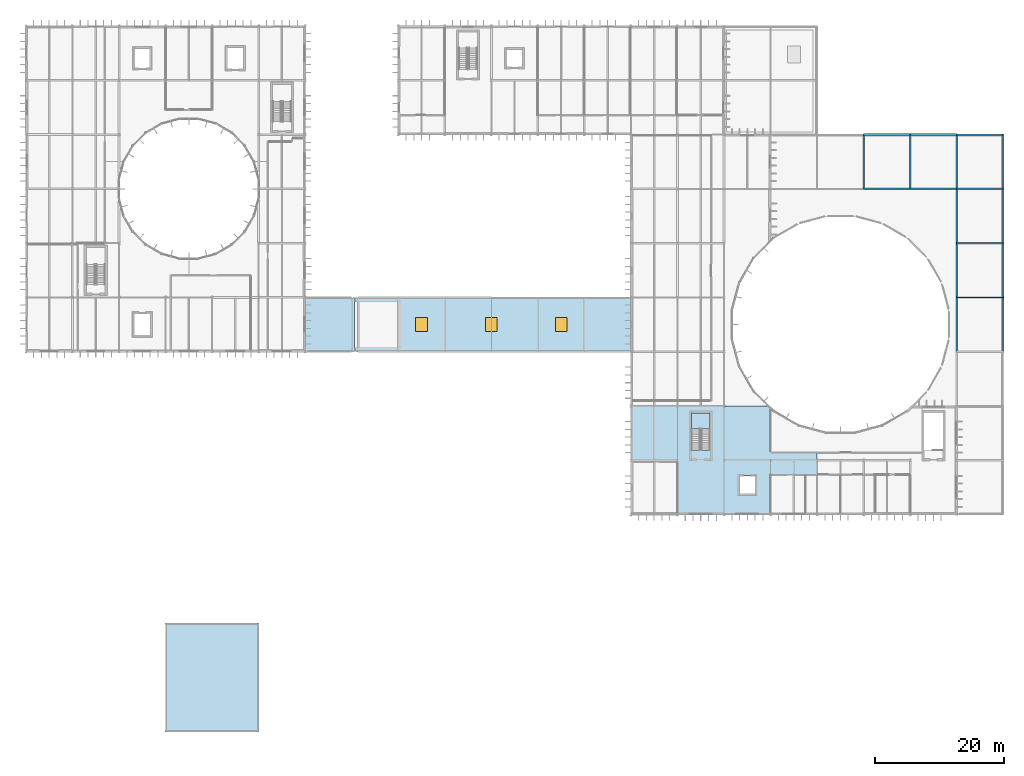
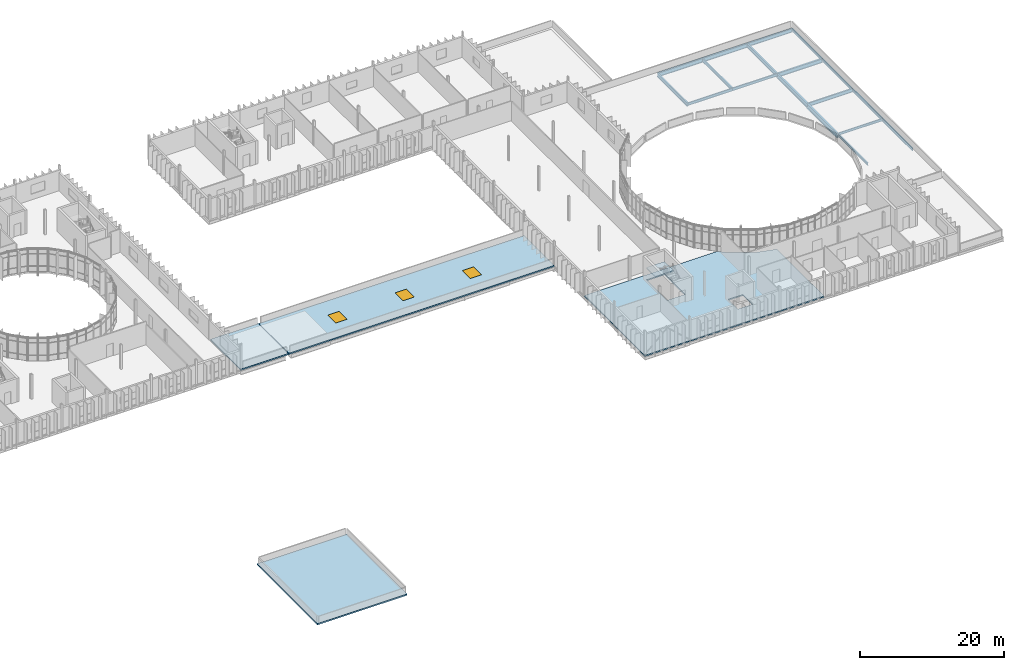
# One storey, part 30 of 61: 18 beams, 5 slabs, 3 windows, 3 openings, 1 element without a shape of its own.
"""IFC4 building model written with IfcOpenShell, lengths in metres."""

from ifc_helpers import new_model, si_unit, direction, frame, origin, origin_2d, place, context, subcontext, project, spatial, polyline, rectangle, i_section, outline, extrude, material, layer, layer_set, material_profile, profile_set, type_object, element, fill, aggregate, save


model = new_model("IFC4")

# Units and contexts
model_context = context("Model", 3, precision=1e-05, world=origin(), true_north=direction((0.0, 1.0)))
body_context = subcontext(model_context, "Body", "Model", "MODEL_VIEW")
ifc_project = project(units=[si_unit("LENGTHUNIT", "METRE"), si_unit("AREAUNIT", "SQUARE_METRE"), si_unit("VOLUMEUNIT", "CUBIC_METRE"), si_unit("PLANEANGLEUNIT", "RADIAN"), si_unit("MASSUNIT", "GRAM", prefix="KILO")], contexts=[model_context])

# Site, building, storey
site_placement = place(None, origin())
site = spatial("IfcSite", under=ifc_project, at=site_placement, CompositionType="ELEMENT")
building_placement = place(site_placement, origin())
building = spatial("IfcBuilding", under=site, at=building_placement, Name="Qelthora Terrace Specialist Clinic", CompositionType="ELEMENT")
storey_placement = place(building_placement, frame((0.0, 0.0, 13.199951171875)))
storey = spatial("IfcBuildingStorey", under=building, at=storey_placement, Name="L03", CompositionType="ELEMENT", Elevation=13.199951171875)

# Beams
ifc_material_1 = material(Name="Steel S355", Category="steel")
ifc_material_profile_1 = material_profile(ifc_material_1, i_section(OverallWidth=0.178955078125, OverallDepth=0.409912109375, WebThickness=0.0087890625, FlangeThickness=0.014404296875, FilletRadius=0.011962890625, at=origin_2d()), Name="W410X67")
ifc_profile_set_1 = profile_set([ifc_material_profile_1], Name="Steel S355")
beam_type_1 = type_object("IfcBeamType", Name="BM-W410X67", PredefinedType="BEAM", material=ifc_profile_set_1)
beam_1_placement = place(storey_placement, frame((144.0, 67.199951171875, -0.454833984375), z_axis=(1.0, 0.0, 0.0), x_axis=(0.0, 1.0, 0.0)))
element("IfcBeam", 1, at=beam_1_placement, inside=storey, type_object=beam_type_1, Name="Girder BMX-L03-0964", PredefinedType="BEAM", context=body_context, shape_type="SweptSolid", body=[
    extrude(i_section(OverallWidth=0.178955078125, OverallDepth=0.409912109375, WebThickness=0.0087890625, FlangeThickness=0.014404296875, FilletRadius=0.011962890625, at=origin_2d()), origin(), (0.0, 0.0, 1.0), 7.199951171875),
])
for number, where, z_axis, x_axis, name in (
    (2, (144.0, 58.800048828125, -0.454833984375), (0.0, 1.0, 0.0), (-1.0, 0.0, 0.0), "Girder BMY-L03-1120"),
    (3, (151.199951171875, 84.0, -0.454833984375), (0.0, 1.0, 0.0), (-1.0, 0.0, 0.0), "Girder BMY-L03-1130"),
):
    element("IfcBeam", number, at=place(storey_placement, frame(where, z_axis=z_axis, x_axis=x_axis)), inside=storey, type_object=beam_type_1, Name=name, PredefinedType="BEAM", context=body_context, shape_type="SweptSolid", body=[
        extrude(i_section(OverallWidth=0.178955078125, OverallDepth=0.409912109375, WebThickness=0.0087890625, FlangeThickness=0.014404296875, FilletRadius=0.011962890625, at=origin_2d()), origin(), (0.0, 0.0, 1.0), 8.39990234375),
    ])
ifc_material_profile_2 = material_profile(ifc_material_1, i_section(OverallWidth=0.179931640625, OverallDepth=0.4130859375, WebThickness=0.009765625, FlangeThickness=0.01611328125, FilletRadius=0.011962890625, at=origin_2d()), Name="W410X75")
ifc_profile_set_2 = profile_set([ifc_material_profile_2], Name="Steel S355")
beam_type_2 = type_object("IfcBeamType", Name="BM-W410X75", PredefinedType="BEAM", material=ifc_profile_set_2)
beam_2_placement = place(storey_placement, frame((151.199951171875, 75.60009765625, -0.45654296875), z_axis=(0.0, 1.0, 0.0), x_axis=(-1.0, 0.0, 0.0)))
element("IfcBeam", 4, at=beam_2_placement, inside=storey, type_object=beam_type_2, Name="Girder BMY-L03-1129", PredefinedType="BEAM", context=body_context, shape_type="SweptSolid", body=[
    extrude(i_section(OverallWidth=0.179931640625, OverallDepth=0.4130859375, WebThickness=0.009765625, FlangeThickness=0.01611328125, FilletRadius=0.011962890625, at=origin_2d()), origin(), (0.0, 0.0, 1.0), 8.39990234375),
])
ifc_material_profile_3 = material_profile(ifc_material_1, i_section(OverallWidth=0.19091796875, OverallDepth=0.4599609375, WebThickness=0.010009765625, FlangeThickness=0.01611328125, FilletRadius=0.012939453125, at=origin_2d()), Name="W460X82")
ifc_profile_set_3 = profile_set([ifc_material_profile_3], Name="Steel S355")
beam_type_3 = type_object("IfcBeamType", Name="BM-W460X82", PredefinedType="BEAM", material=ifc_profile_set_3)
for number, where, z_axis, x_axis, name in (
    (5, (129.60009765625, 84.0, -0.47998046875), (1.0, 0.0, 0.0), (0.0, 1.0, 0.0), "Girder BMX-L03-0979"),
    (6, (136.800048828125, 84.0, -0.47998046875), (1.0, 0.0, 0.0), (0.0, 1.0, 0.0), "Girder BMX-L03-0980"),
):
    element("IfcBeam", number, at=place(storey_placement, frame(where, z_axis=z_axis, x_axis=x_axis)), inside=storey, type_object=beam_type_3, Name=name, PredefinedType="BEAM", context=body_context, shape_type="SweptSolid", body=[
        extrude(i_section(OverallWidth=0.19091796875, OverallDepth=0.4599609375, WebThickness=0.010009765625, FlangeThickness=0.01611328125, FilletRadius=0.012939453125, at=origin_2d()), origin(), (0.0, 0.0, 1.0), 7.199951171875),
    ])
beam_3_placement = place(storey_placement, frame((151.199951171875, 67.199951171875, -0.47998046875), z_axis=(0.0, 1.0, 0.0), x_axis=(-1.0, 0.0, 0.0)))
element("IfcBeam", 7, at=beam_3_placement, inside=storey, type_object=beam_type_3, Name="Girder BMY-L03-1128", PredefinedType="BEAM", context=body_context, shape_type="SweptSolid", body=[
    extrude(i_section(OverallWidth=0.19091796875, OverallDepth=0.4599609375, WebThickness=0.010009765625, FlangeThickness=0.01611328125, FilletRadius=0.012939453125, at=origin_2d()), origin(), (0.0, 0.0, 1.0), 8.400146484375),
])
ifc_material_profile_4 = material_profile(ifc_material_1, i_section(OverallWidth=0.193115234375, OverallDepth=0.466064453125, WebThickness=0.011474609375, FlangeThickness=0.01904296875, FilletRadius=0.012939453125, at=origin_2d()), Name="W460X97")
ifc_profile_set_4 = profile_set([ifc_material_profile_4], Name="Steel S355")
beam_type_4 = type_object("IfcBeamType", Name="BM-W460X97", PredefinedType="BEAM", material=ifc_profile_set_4)
beam_4_placement = place(storey_placement, frame((151.199951171875, 58.800048828125, -0.48291015625), z_axis=(0.0, 1.0, 0.0), x_axis=(-1.0, 0.0, 0.0)))
element("IfcBeam", 8, at=beam_4_placement, inside=storey, type_object=beam_type_4, Name="Girder BMY-L03-1127", PredefinedType="BEAM", context=body_context, shape_type="SweptSolid", body=[
    extrude(i_section(OverallWidth=0.193115234375, OverallDepth=0.466064453125, WebThickness=0.011474609375, FlangeThickness=0.01904296875, FilletRadius=0.012939453125, at=origin_2d()), origin(), (0.0, 0.0, 1.0), 8.39990234375),
])
ifc_material_profile_5 = material_profile(ifc_material_1, i_section(OverallWidth=0.2099609375, OverallDepth=0.537109375, WebThickness=0.010986328125, FlangeThickness=0.017333984375, FilletRadius=0.013916015625, at=origin_2d()), Name="W530X101")
ifc_profile_set_5 = profile_set([ifc_material_profile_5], Name="Steel S355")
beam_type_5 = type_object("IfcBeamType", Name="BM-W530X101", PredefinedType="BEAM", material=ifc_profile_set_5)
beam_5_placement = place(storey_placement, frame((136.800048828125, 84.0, -0.5185546875), z_axis=(0.0, 1.0, 0.0), x_axis=(-1.0, 0.0, 0.0)))
element("IfcBeam", 9, at=beam_5_placement, inside=storey, type_object=beam_type_5, Name="Girder BMY-L03-1116", PredefinedType="BEAM", context=body_context, shape_type="SweptSolid", body=[
    extrude(i_section(OverallWidth=0.2099609375, OverallDepth=0.537109375, WebThickness=0.010986328125, FlangeThickness=0.017333984375, FilletRadius=0.013916015625, at=origin_2d()), origin(), (0.0, 0.0, 1.0), 8.39990234375),
])
ifc_material_profile_6 = material_profile(ifc_material_1, i_section(OverallWidth=0.22900390625, OverallDepth=0.612060546875, WebThickness=0.011962890625, FlangeThickness=0.01953125, FilletRadius=0.01611328125, at=origin_2d()), Name="W610X125")
ifc_profile_set_6 = profile_set([ifc_material_profile_6], Name="Steel S355")
beam_type_6 = type_object("IfcBeamType", Name="BM-W610X125", PredefinedType="BEAM", material=ifc_profile_set_6)
beam_6_placement = place(storey_placement, frame((144.0, 75.60009765625, -0.555908203125), z_axis=(1.0, 0.0, 0.0), x_axis=(0.0, 1.0, 0.0)))
element("IfcBeam", 10, at=beam_6_placement, inside=storey, type_object=beam_type_6, Name="Girder BMX-L03-0970", PredefinedType="BEAM", context=body_context, shape_type="SweptSolid", body=[
    extrude(i_section(OverallWidth=0.22900390625, OverallDepth=0.612060546875, WebThickness=0.011962890625, FlangeThickness=0.01953125, FilletRadius=0.01611328125, at=origin_2d()), origin(), (0.0, 0.0, 1.0), 7.199951171875),
])
ifc_material_profile_7 = material_profile(ifc_material_1, i_section(OverallWidth=0.22998046875, OverallDepth=0.616943359375, WebThickness=0.01318359375, FlangeThickness=0.022216796875, FilletRadius=0.01611328125, at=origin_2d()), Name="W610X140")
ifc_profile_set_7 = profile_set([ifc_material_profile_7], Name="Steel S355")
beam_type_7 = type_object("IfcBeamType", Name="BM-W610X140", PredefinedType="BEAM", material=ifc_profile_set_7)
beam_7_placement = place(storey_placement, frame((144.0, 92.39990234375, -0.558349609375), z_axis=(1.0, 0.0, 0.0), x_axis=(0.0, 1.0, 0.0)))
element("IfcBeam", 11, at=beam_7_placement, inside=storey, type_object=beam_type_7, Name="Girder BMX-L03-0997", PredefinedType="BEAM", context=body_context, shape_type="SweptSolid", body=[
    extrude(i_section(OverallWidth=0.22998046875, OverallDepth=0.616943359375, WebThickness=0.01318359375, FlangeThickness=0.022216796875, FilletRadius=0.01611328125, at=origin_2d()), origin(), (0.0, 0.0, 1.0), 7.199951171875),
])
beam_8_placement = place(storey_placement, frame((129.60009765625, 84.0, -0.558349609375), z_axis=(0.0, 1.0, 0.0), x_axis=(-1.0, 0.0, 0.0)))
element("IfcBeam", 12, at=beam_8_placement, inside=storey, type_object=beam_type_7, Name="Girder BMY-L03-1114", PredefinedType="BEAM", context=body_context, shape_type="SweptSolid", body=[
    extrude(i_section(OverallWidth=0.22998046875, OverallDepth=0.616943359375, WebThickness=0.01318359375, FlangeThickness=0.022216796875, FilletRadius=0.01611328125, at=origin_2d()), origin(), (0.0, 0.0, 1.0), 8.39990234375),
])
ifc_material_profile_8 = material_profile(ifc_material_1, i_section(OverallWidth=0.25390625, OverallDepth=0.68798828125, WebThickness=0.01318359375, FlangeThickness=0.02099609375, FilletRadius=0.01806640625, at=origin_2d()), Name="W690X152")
ifc_profile_set_8 = profile_set([ifc_material_profile_8], Name="Steel S355")
beam_type_8 = type_object("IfcBeamType", Name="BM-W690X152", PredefinedType="BEAM", material=ifc_profile_set_8)
beam_9_placement = place(storey_placement, frame((136.800048828125, 92.39990234375, -0.593994140625), z_axis=(1.0, 0.0, 0.0), x_axis=(0.0, 1.0, 0.0)))
element("IfcBeam", 13, at=beam_9_placement, inside=storey, type_object=beam_type_8, Name="Girder BMX-L03-0996", PredefinedType="BEAM", context=body_context, shape_type="SweptSolid", body=[
    extrude(i_section(OverallWidth=0.25390625, OverallDepth=0.68798828125, WebThickness=0.01318359375, FlangeThickness=0.02099609375, FilletRadius=0.01806640625, at=origin_2d()), origin(), (0.0, 0.0, 1.0), 7.199951171875),
])
ifc_material_profile_9 = material_profile(ifc_material_1, i_section(OverallWidth=0.256103515625, OverallDepth=0.693115234375, WebThickness=0.014404296875, FlangeThickness=0.023681640625, FilletRadius=0.01806640625, at=origin_2d()), Name="W690X170")
ifc_profile_set_9 = profile_set([ifc_material_profile_9], Name="Steel S355")
beam_type_9 = type_object("IfcBeamType", Name="BM-W690X170", PredefinedType="BEAM", material=ifc_profile_set_9)
for number, where, z_axis, x_axis, name in (
    (14, (144.0, 84.0, -0.596435546875), (1.0, 0.0, 0.0), (0.0, 1.0, 0.0), "Girder BMX-L03-0981"),
    (15, (129.60009765625, 92.39990234375, -0.596435546875), (1.0, 0.0, 0.0), (0.0, 1.0, 0.0), "Girder BMX-L03-0995"),
):
    element("IfcBeam", number, at=place(storey_placement, frame(where, z_axis=z_axis, x_axis=x_axis)), inside=storey, type_object=beam_type_9, Name=name, PredefinedType="BEAM", context=body_context, shape_type="SweptSolid", body=[
        extrude(i_section(OverallWidth=0.256103515625, OverallDepth=0.693115234375, WebThickness=0.014404296875, FlangeThickness=0.023681640625, FilletRadius=0.01806640625, at=origin_2d()), origin(), (0.0, 0.0, 1.0), 7.199951171875),
    ])
beam_10_placement = place(storey_placement, frame((144.0, 84.0, -0.596435546875), z_axis=(0.0, 1.0, 0.0), x_axis=(-1.0, 0.0, 0.0)))
element("IfcBeam", 16, at=beam_10_placement, inside=storey, type_object=beam_type_9, Name="Girder BMY-L03-1123", PredefinedType="BEAM", context=body_context, shape_type="SweptSolid", body=[
    extrude(i_section(OverallWidth=0.256103515625, OverallDepth=0.693115234375, WebThickness=0.014404296875, FlangeThickness=0.023681640625, FilletRadius=0.01806640625, at=origin_2d()), origin(), (0.0, 0.0, 1.0), 8.39990234375),
])
ifc_material_profile_10 = material_profile(ifc_material_1, i_section(OverallWidth=0.26806640625, OverallDepth=0.77001953125, WebThickness=0.015625, FlangeThickness=0.025390625, FilletRadius=0.01904296875, at=origin_2d()), Name="W760X196")
ifc_profile_set_10 = profile_set([ifc_material_profile_10], Name="Steel S355")
beam_type_10 = type_object("IfcBeamType", Name="BM-W760X196", PredefinedType="BEAM", material=ifc_profile_set_10)
beam_11_placement = place(storey_placement, frame((144.0, 75.60009765625, -0.635009765625), z_axis=(0.0, 1.0, 0.0), x_axis=(-1.0, 0.0, 0.0)))
element("IfcBeam", 17, at=beam_11_placement, inside=storey, type_object=beam_type_10, Name="Girder BMY-L03-1122", PredefinedType="BEAM", context=body_context, shape_type="SweptSolid", body=[
    extrude(i_section(OverallWidth=0.26806640625, OverallDepth=0.77001953125, WebThickness=0.015625, FlangeThickness=0.025390625, FilletRadius=0.01904296875, at=origin_2d()), origin(), (0.0, 0.0, 1.0), 8.39990234375),
])
ifc_material_profile_11 = material_profile(ifc_material_1, i_section(OverallWidth=0.2939453125, OverallDepth=0.85107421875, WebThickness=0.01611328125, FlangeThickness=0.02685546875, FilletRadius=0.02001953125, at=origin_2d()), Name="W840X226")
ifc_profile_set_11 = profile_set([ifc_material_profile_11], Name="Steel S355")
beam_type_11 = type_object("IfcBeamType", Name="BM-W840X226", PredefinedType="BEAM", material=ifc_profile_set_11)
beam_12_placement = place(storey_placement, frame((144.0, 67.199951171875, -0.675537109375), z_axis=(0.0, 1.0, 0.0), x_axis=(-1.0, 0.0, 0.0)))
element("IfcBeam", 18, at=beam_12_placement, inside=storey, type_object=beam_type_11, Name="Girder BMY-L03-1121", PredefinedType="BEAM", context=body_context, shape_type="SweptSolid", body=[
    extrude(i_section(OverallWidth=0.2939453125, OverallDepth=0.85107421875, WebThickness=0.01611328125, FlangeThickness=0.02685546875, FilletRadius=0.02001953125, at=origin_2d()), origin(), (0.0, 0.0, 1.0), 8.400146484375),
])

# Slab
ifc_material_2 = material(Name="Concrete C30/37", Category="concrete")
ifc_layer_1 = layer(ifc_material_2, 0.2099609375)
ifc_layer_set_1 = layer_set([ifc_layer_1], Name="Concrete C30/37")
slab_type_1 = type_object("IfcSlabType", Name="SLB-FLR-210-C30", PredefinedType="FLOOR", material=ifc_layer_set_1)
slab_1_placement = place(storey_placement, frame((0.0, 0.0, -0.2099609375)))
element("IfcSlab", 19, at=slab_1_placement, inside=storey, type_object=slab_type_1, Name="L03 V4 slab SLB-L03-V4-1A", PredefinedType="FLOOR", context=body_context, shape_type="SweptSolid", body=[
    extrude(outline(polyline([(93.60009765625, 33.60009765625), (93.60009765625, 50.39990234375), (115.04443359375, 50.39990234375), (115.772705078125, 49.671630859375), (119.57080078125, 47.478759765625), (122.39990234375, 46.720703125), (122.39990234375, 33.60009765625), (93.60009765625, 33.60009765625)]), holes=[polyline([(112.800048828125, 39.550048828125), (110.39990234375, 39.550048828125), (110.39990234375, 36.85009765625), (112.800048828125, 36.85009765625), (112.800048828125, 39.550048828125)]), polyline([(105.85009765625, 49.35009765625), (102.949951171875, 49.35009765625), (102.949951171875, 43.6005859375), (105.85009765625, 43.6005859375), (105.85009765625, 49.35009765625)])]), origin(), (0.0, 0.0, 1.0), 0.2099609375),
])

# Stair, slab
stair_type = type_object("IfcStairType", Name="STR-175-295", PredefinedType="HALF_TURN_STAIR", material=ifc_material_2)
stair_placement = place(storey_placement, origin())
stair = element("IfcStair", 20, at=stair_placement, inside=storey, type_object=stair_type, Name="L03 Enclosed Exit Stair ST-05", PredefinedType="HALF_TURN_STAIR")
ifc_layer_2 = layer(ifc_material_2, 0.199951171875)
ifc_layer_set_2 = layer_set([ifc_layer_2], Name="Concrete C30/37")
slab_type_2 = type_object("IfcSlabType", Name="SLB-LAND-200-C30", PredefinedType="LANDING", material=ifc_layer_set_2)
slab_2_placement = place(storey_placement, frame((0.0, 0.0, 1.900146484375)))
slab_2 = element("IfcSlab", 21, at=slab_2_placement, type_object=slab_type_2, Name="ST-05 landing 1", PredefinedType="LANDING", context=body_context, shape_type="SweptSolid", body=[
    extrude(outline(polyline([(105.85009765625, 46.844970703125), (105.85009765625, 49.35009765625), (102.949951171875, 49.35009765625), (102.949951171875, 46.844970703125), (105.85009765625, 46.844970703125)])), origin(), (0.0, 0.0, 1.0), 0.199951171875),
])
aggregate(stair, [slab_2])

# Slab
ifc_layer_3 = layer(ifc_material_2, 0.22509765625)
ifc_layer_set_3 = layer_set([ifc_layer_3], Name="Concrete C30/37")
slab_type_3 = type_object("IfcSlabType", Name="SLB-ROOF-170-ZINC", PredefinedType="ROOF", material=ifc_layer_set_3)
slab_3_placement = place(storey_placement, frame((0.0, 0.0, -0.224853515625)))
element("IfcSlab", 22, at=slab_3_placement, inside=storey, type_object=slab_type_3, Name="Stepped wing roof slab ROOF-V7-BRGW-1", PredefinedType="ROOF", context=body_context, shape_type="SweptSolid", body=[
    extrude(outline(polyline([(50.85009765625, 67.199951171875), (50.85009765625, 58.800048828125), (43.199951171875, 58.800048828125), (43.199951171875, 67.199951171875), (50.85009765625, 67.199951171875)])), origin(), (0.0, 0.0, 1.0), 0.224853515625),
])

# Slab, openings, windows
slab_4_placement = place(storey_placement, frame((0.0, 0.0, -0.224853515625)))
slab_4 = element("IfcSlab", 23, at=slab_4_placement, inside=storey, type_object=slab_type_3, Name="Stepped wing roof slab ROOF-V7-BRG-1", PredefinedType="ROOF", context=body_context, shape_type="SweptSolid", body=[
    extrude(outline(polyline([(93.60009765625, 67.199951171875), (93.60009765625, 58.800048828125), (50.949951171875, 58.800048828125), (50.949951171875, 67.199951171875), (93.60009765625, 67.199951171875)])), origin(), (0.0, 0.0, 1.0), 0.224853515625),
])
opening_1_placement = place(slab_4_placement, frame((61.199951171875, 63.0, 0.0)))
opening_1 = element("IfcOpeningElement", 24, at=opening_1_placement, cuts=slab_4, Name="Opening SK-L03-05", PredefinedType="OPENING", context=body_context, shape_type="SweptSolid", body=[
    extrude(rectangle(XDim=1.800048828125, YDim=2.199951171875, at=origin_2d()), frame((0.0, 0.0, -0.010009765625)), (0.0, 0.0, 1.0), 0.244873046875),
])
opening_2_placement = place(slab_4_placement, frame((72.0, 63.0, 0.0)))
opening_2 = element("IfcOpeningElement", 25, at=opening_2_placement, cuts=slab_4, Name="Opening SK-L03-06", PredefinedType="OPENING", context=body_context, shape_type="SweptSolid", body=[
    extrude(rectangle(XDim=1.800048828125, YDim=2.199951171875, at=origin_2d()), frame((0.0, 0.0, -0.010009765625)), (0.0, 0.0, 1.0), 0.244873046875),
])
opening_3_placement = place(slab_4_placement, frame((82.800048828125, 63.0, 0.0)))
opening_3 = element("IfcOpeningElement", 26, at=opening_3_placement, cuts=slab_4, Name="Opening SK-L03-07", PredefinedType="OPENING", context=body_context, shape_type="SweptSolid", body=[
    extrude(rectangle(XDim=1.800048828125, YDim=2.199951171875, at=origin_2d()), frame((0.0, 0.0, -0.010009765625)), (0.0, 0.0, 1.0), 0.244873046875),
])
ifc_material_3 = material(Name="Low-E triple-silver insulating glass", Category="glass")
window_type = type_object("IfcWindowType", Name="SKY-1800X2200", PartitioningType="SINGLE_PANEL", PredefinedType="SKYLIGHT", material=ifc_material_3)
window_1_placement = place(opening_1_placement, frame((0.0, 0.0, 0.1748046875)))
window_1 = element("IfcWindow", 27, at=window_1_placement, inside=storey, type_object=window_type, Name="Roof skylight SK-L03-05", OverallHeight=2.199951171875, OverallWidth=1.800048828125, PartitioningType="SINGLE_PANEL", PredefinedType="SKYLIGHT", context=body_context, shape_type="SweptSolid", body=[
    extrude(rectangle(XDim=1.800048828125, YDim=2.199951171875, at=origin_2d()), origin(), (0.0, 0.0, 1.0), 0.050048828125),
])
fill(opening_1, window_1)
window_2_placement = place(opening_2_placement, frame((0.0, 0.0, 0.1748046875)))
window_2 = element("IfcWindow", 28, at=window_2_placement, inside=storey, type_object=window_type, Name="Roof skylight SK-L03-06", OverallHeight=2.199951171875, OverallWidth=1.800048828125, PartitioningType="SINGLE_PANEL", PredefinedType="SKYLIGHT", context=body_context, shape_type="SweptSolid", body=[
    extrude(rectangle(XDim=1.800048828125, YDim=2.199951171875, at=origin_2d()), origin(), (0.0, 0.0, 1.0), 0.050048828125),
])
fill(opening_2, window_2)
window_3_placement = place(opening_3_placement, frame((0.0, 0.0, 0.1748046875)))
window_3 = element("IfcWindow", 29, at=window_3_placement, inside=storey, type_object=window_type, Name="Roof skylight SK-L03-07", OverallHeight=2.199951171875, OverallWidth=1.800048828125, PartitioningType="SINGLE_PANEL", PredefinedType="SKYLIGHT", context=body_context, shape_type="SweptSolid", body=[
    extrude(rectangle(XDim=1.800048828125, YDim=2.199951171875, at=origin_2d()), origin(), (0.0, 0.0, 1.0), 0.050048828125),
])
fill(opening_3, window_3)

# Slab
ifc_layer_4 = layer(ifc_material_2, 0.235107421875)
ifc_layer_set_4 = layer_set([ifc_layer_4], Name="Concrete C30/37")
slab_type_4 = type_object("IfcSlabType", Name="SLB-ROOF-190-ZINC", PredefinedType="ROOF", material=ifc_layer_set_4)
slab_5_placement = place(storey_placement, frame((0.0, 0.0, -0.23486328125)))
element("IfcSlab", 30, at=slab_5_placement, inside=storey, type_object=slab_type_4, Name="V2 L02 garden vestibule roof slab", PredefinedType="ROOF", context=body_context, shape_type="SweptSolid", body=[
    extrude(outline(polyline([(21.60009765625, 0.0), (36.0, 0.0), (36.0, 16.800048828125), (21.60009765625, 16.800048828125), (21.60009765625, 0.0)])), origin(), (0.0, 0.0, 1.0), 0.23486328125),
])

save(model, "model.ifc")
